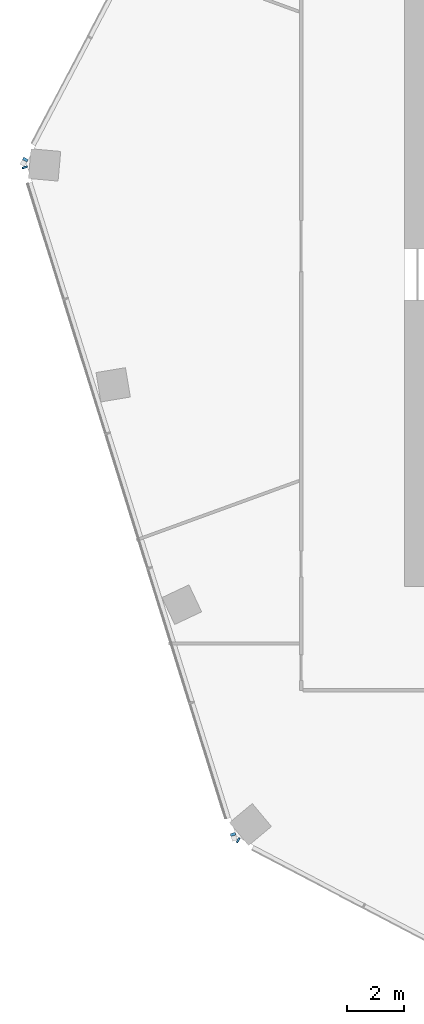
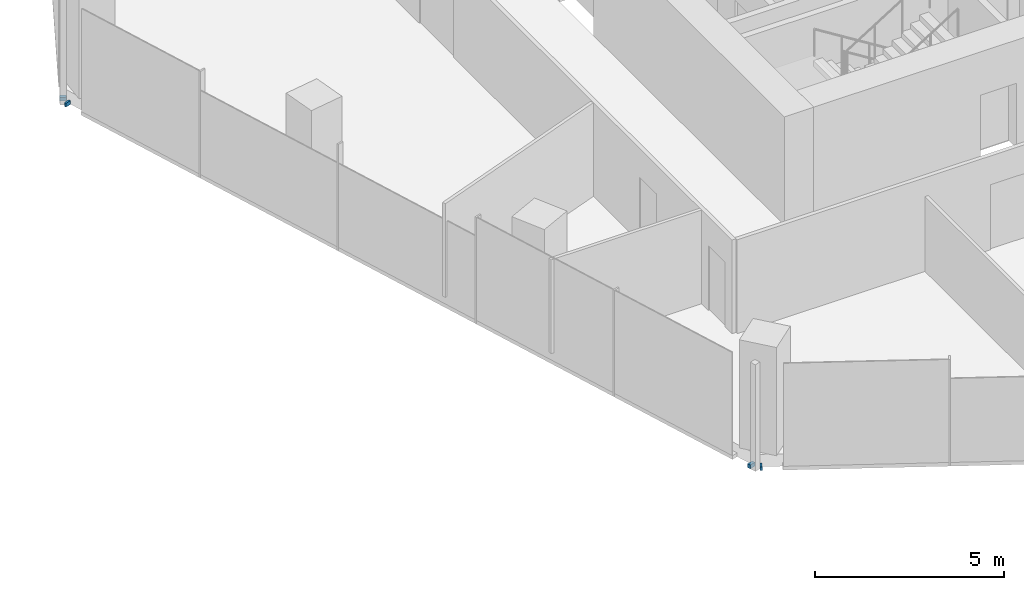
# One storey, part 14 of 24: 4 members, 3 elements without a shape of their own.
"""IFC4 building model written with IfcOpenShell, lengths in metres."""

from ifc_helpers import new_model, si_unit, direction, frame, origin, origin_2d, place, context, subcontext, project, spatial, rectangle, extrude, material, material_profile, profile_set, type_object, element, aggregate, save


model = new_model("IFC4")

# Units and contexts
model_context = context("Model", 3, precision=1e-05, world=origin(), true_north=direction((0.0, 1.0)))
body_context = subcontext(model_context, "Body", "Model", "MODEL_VIEW")
ifc_project = project(units=[si_unit("LENGTHUNIT", "METRE"), si_unit("AREAUNIT", "SQUARE_METRE"), si_unit("VOLUMEUNIT", "CUBIC_METRE"), si_unit("PLANEANGLEUNIT", "RADIAN"), si_unit("MASSUNIT", "GRAM", prefix="KILO")], contexts=[model_context])

# Site, building, storey
site_placement = place(None, origin())
site = spatial("IfcSite", under=ifc_project, at=site_placement, CompositionType="ELEMENT")
building_placement = place(site_placement, origin())
building = spatial("IfcBuilding", under=site, at=building_placement, Name="Orlundy Tower", CompositionType="ELEMENT")
storey_placement = place(building_placement, frame((0.0, 0.0, 267.5)))
storey = spatial("IfcBuildingStorey", under=building, at=storey_placement, Name="L71", CompositionType="ELEMENT", Elevation=267.5)

# Curtain wall, member
ifc_material_1 = material(Name="Aluminium bronze anodised", Category="aluminium")
curtain_wall_type = type_object("IfcCurtainWallType", Name="CW1 wall", PredefinedType="NOTDEFINED", material=ifc_material_1)
curtain_wall_1_placement = place(storey_placement, origin())
curtain_wall_1 = element("IfcCurtainWall", 1, at=curtain_wall_1_placement, inside=storey, type_object=curtain_wall_type, Name="CW1 run 00", PredefinedType="NOTDEFINED")
ifc_material_2 = material(Name="Aluminium bronze anodised", Category="aluminium")
ifc_material_profile = material_profile(ifc_material_2, rectangle(XDim=0.179931640625, YDim=0.1201171875, at=origin_2d()), Name="CW1 transom 180x120")
ifc_profile_set = profile_set([ifc_material_profile], Name="Aluminium bronze anodised")
member_type = type_object("IfcMemberType", Name="CW1 transom 180x120", PredefinedType="USERDEFINED", material=ifc_profile_set)
member_1_placement = place(storey_placement, frame((-24.8447265625, -20.948974609375, -0.340087890625), z_axis=(-0.884289970919, 0.466938162214, 0.0), x_axis=(-0.466938162214, -0.884289970919, 0.0)))
member_1 = element("IfcMember", 2, at=member_1_placement, type_object=member_type, Name="CW1 transom", ObjectType="TRANSOM", PredefinedType="USERDEFINED", context=body_context, shape_type="SweptSolid", body=[
    extrude(rectangle(XDim=0.179931640625, YDim=0.1201171875, at=origin_2d()), origin(), (0.0, 0.0, 1.0), 0.05908203125),
])
aggregate(curtain_wall_1, [member_1])

# Curtain wall, members
curtain_wall_2_placement = place(storey_placement, origin())
curtain_wall_2 = element("IfcCurtainWall", 3, at=curtain_wall_2_placement, inside=storey, type_object=curtain_wall_type, Name="CW1 run 01", PredefinedType="NOTDEFINED")
member_2_placement = place(storey_placement, frame((-25.03662109375, -20.7763671875, -0.340087890625), z_axis=(-0.299430668183, 0.954118061328, 0.0), x_axis=(-0.954118061328, -0.299430668183, 0.0)))
member_2 = element("IfcMember", 4, at=member_2_placement, type_object=member_type, Name="CW1 transom", ObjectType="TRANSOM", PredefinedType="USERDEFINED", context=body_context, shape_type="SweptSolid", body=[
    extrude(rectangle(XDim=0.179931640625, YDim=0.1201171875, at=origin_2d()), origin(), (0.0, 0.0, 1.0), 0.09619140625),
])
member_3_placement = place(storey_placement, frame((-32.380859375, 2.753173828125, -0.340087890625), z_axis=(-0.300555941545, 0.953764187838, 0.0), x_axis=(-0.953764187838, -0.300555941545, 0.0)))
member_3 = element("IfcMember", 5, at=member_3_placement, type_object=member_type, Name="CW1 transom", ObjectType="TRANSOM", PredefinedType="USERDEFINED", context=body_context, shape_type="SweptSolid", body=[
    extrude(rectangle(XDim=0.179931640625, YDim=0.1201171875, at=origin_2d()), origin(), (0.0, 0.0, 1.0), 0.06103515625),
])
aggregate(curtain_wall_2, [member_2, member_3])

# Curtain wall, member
curtain_wall_3_placement = place(storey_placement, origin())
curtain_wall_3 = element("IfcCurtainWall", 6, at=curtain_wall_3_placement, inside=storey, type_object=curtain_wall_type, Name="CW1 run 02", PredefinedType="NOTDEFINED")
member_4_placement = place(storey_placement, frame((-32.395263671875, 3.012451171875, -0.340087890625), z_axis=(0.465028834138, 0.885295534508, 0.0), x_axis=(-0.885295534508, 0.465028834138, 0.0)))
member_4 = element("IfcMember", 7, at=member_4_placement, type_object=member_type, Name="CW1 transom", ObjectType="TRANSOM", PredefinedType="USERDEFINED", context=body_context, shape_type="SweptSolid", body=[
    extrude(rectangle(XDim=0.179931640625, YDim=0.1201171875, at=origin_2d()), origin(), (0.0, 0.0, 1.0), 0.09814453125),
])
aggregate(curtain_wall_3, [member_4])

save(model, "model.ifc")
